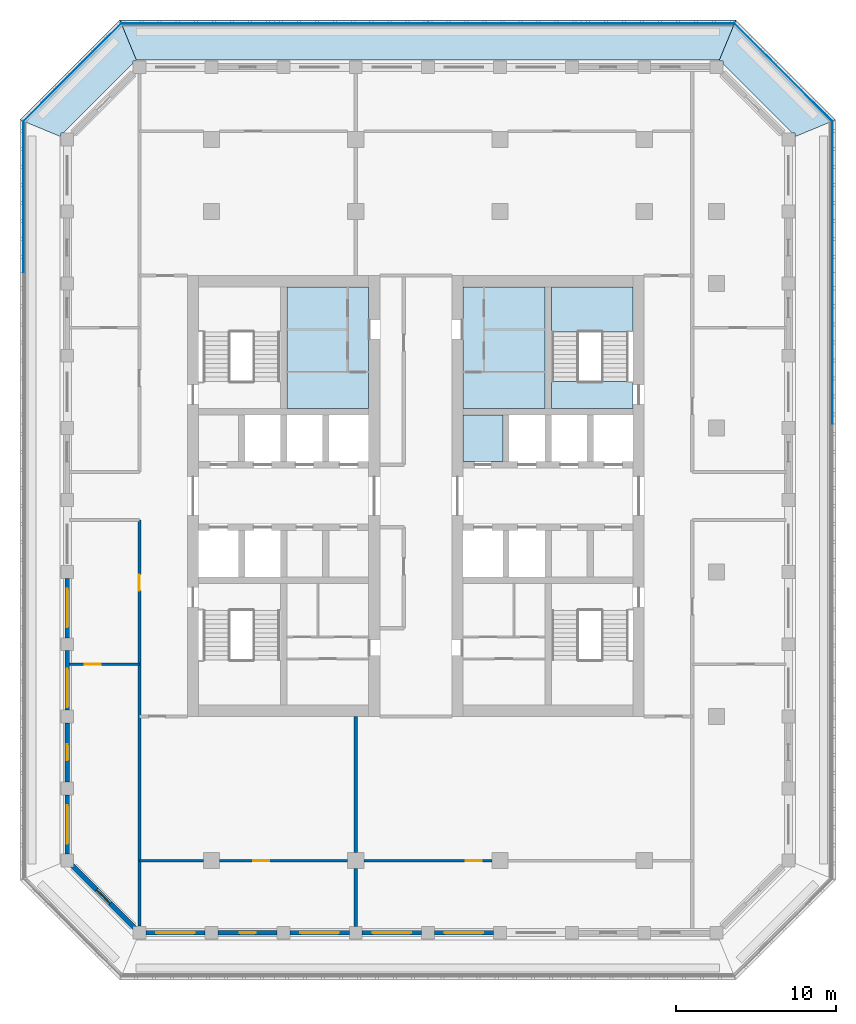
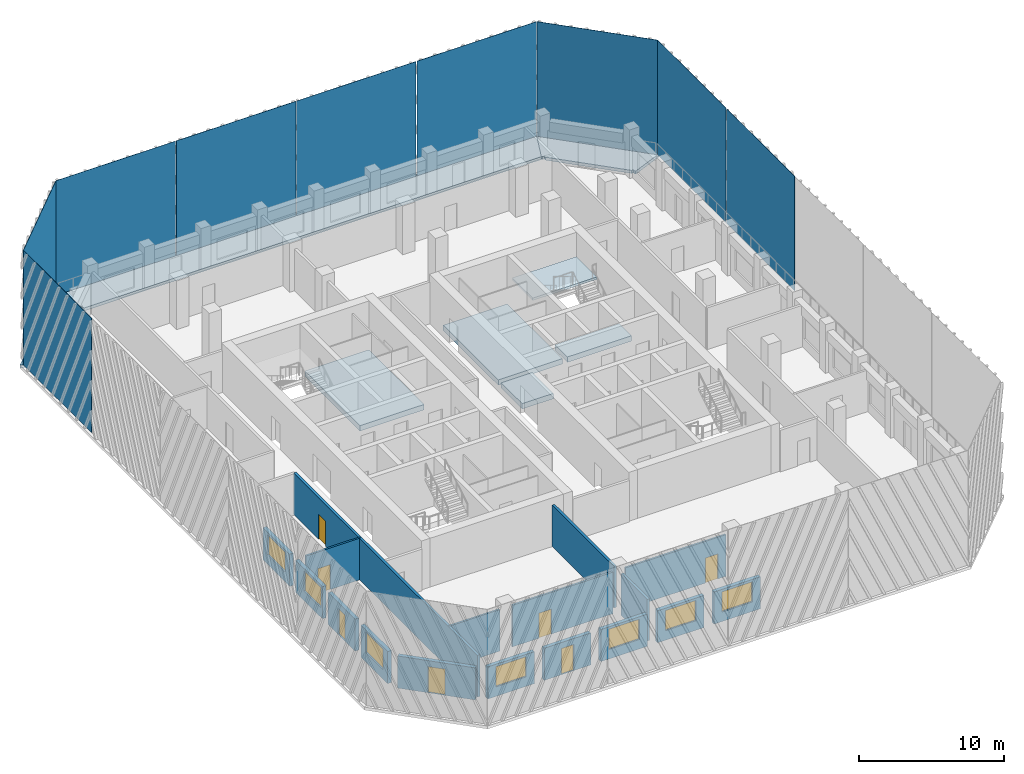
# One storey, part 2 of 17: 17 walls, 9 plates, 8 slabs, 7 doors, 7 windows, 14 openings, 1 element without a shape of its own.
"""IFC4 building model written with IfcOpenShell, lengths in metres."""

import ifcopenshell
import ifcopenshell.guid

model = None  # the IFC model being written
_history = None  # IfcOwnerHistory: only IFC2X3 demands one
_inside = {}  # id of a spatial element -> (the spatial element, [elements in it])
_under = {}  # id of a project, library or spatial element -> (it, [spatial elements below it])
_declared = {}  # id of a project -> (the project, [libraries it declares])
_typed = {}  # id of a type object -> (the type object, [elements of that type])
_made_of = {}  # id of a material, layer set ... -> (it, [elements and type objects made of it])


def new_model(schema):
    """Start an empty IFC model of exactly this schema.

    Asked for "IFC4X3", IfcOpenShell would pick the latest addendum, in which some entities
    have other attributes; the version numbers below select the first issue.
    IFC2X3 requires an IfcOwnerHistory on every rooted entity: one is made here for all.
    """
    global model, _history
    if schema == "IFC4X3":
        model = ifcopenshell.file(schema_version=(4, 3, 0, 0))
    else:
        model = ifcopenshell.file(schema=schema)
    _inside.clear()
    _under.clear()
    _declared.clear()
    _typed.clear()
    _made_of.clear()
    _history = None
    if model.schema == "IFC2X3":
        org = make("IfcOrganization", Name="unknown")
        user = make(
            "IfcPersonAndOrganization",
            ThePerson=make("IfcPerson", FamilyName="unknown"),
            TheOrganization=org,
        )
        app = make(
            "IfcApplication",
            ApplicationDeveloper=org,
            Version="unknown",
            ApplicationFullName="unknown",
            ApplicationIdentifier="unknown",
        )
        _history = make(
            "IfcOwnerHistory",
            OwningUser=user,
            OwningApplication=app,
            ChangeAction="ADDED",
            CreationDate=0,
        )
    return model


def make(cls, **values):
    """One entity of the class cls with the attributes given. An attribute that is None is left unset."""
    return model.create_entity(
        cls, **{name: value for name, value in values.items() if value is not None}
    )


def rooted(cls, **values):
    """An entity with a GlobalId (a new one), such as an element, a storey or a relation."""
    return make(cls, GlobalId=ifcopenshell.guid.new(), OwnerHistory=_history, **values)


def si_unit(unit_type, name, prefix=None):
    """IfcSIUnit, for example si_unit("LENGTHUNIT", "METRE", prefix="MILLI")."""
    return make("IfcSIUnit", UnitType=unit_type, Prefix=prefix, Name=name)


def assignment(units):
    """IfcUnitAssignment: the units of a project."""
    return None if units is None else make("IfcUnitAssignment", Units=units)


def point(xyz):
    """IfcCartesianPoint."""
    return None if xyz is None else make("IfcCartesianPoint", Coordinates=xyz)


def direction(xyz):
    """IfcDirection."""
    return None if xyz is None else make("IfcDirection", DirectionRatios=xyz)


def frame(location, z_axis=None, x_axis=None):
    """IfcAxis2Placement3D, a coordinate frame: its origin and axes. An axis left out is left unset."""
    return make(
        "IfcAxis2Placement3D",
        Location=point(location),
        Axis=direction(z_axis),
        RefDirection=direction(x_axis),
    )


def frame_2d(location, x_axis=None):
    """IfcAxis2Placement2D, a coordinate frame in the plane: its origin and x axis."""
    return make(
        "IfcAxis2Placement2D", Location=point(location), RefDirection=direction(x_axis)
    )


def origin():
    """The frame at (0, 0, 0) with its axes left unset."""
    return frame((0.0, 0.0, 0.0))


def origin_2d():
    """The frame at (0, 0) in the plane with its x axis left unset."""
    return frame_2d((0.0, 0.0))


def place(relative_to, where):
    """IfcLocalPlacement: puts the frame where relative to a parent placement (None: the world)."""
    return make(
        "IfcLocalPlacement", PlacementRelTo=relative_to, RelativePlacement=where
    )


def context(
    kind, dimensions, precision=None, world=None, true_north=None, identifier=None
):
    """IfcGeometricRepresentationContext, for example the 3D "Model" context."""
    return make(
        "IfcGeometricRepresentationContext",
        ContextIdentifier=identifier,
        ContextType=kind,
        CoordinateSpaceDimension=dimensions,
        Precision=precision,
        WorldCoordinateSystem=world,
        TrueNorth=true_north,
    )


def subcontext(parent, identifier, kind, view, scale=None):
    """IfcGeometricRepresentationSubContext, for example "Body" below "Model"."""
    return make(
        "IfcGeometricRepresentationSubContext",
        ContextIdentifier=identifier,
        ContextType=kind,
        ParentContext=parent,
        TargetScale=scale,
        TargetView=view,
    )


def project(units=None, contexts=None):
    """IfcProject with its units and contexts."""
    return rooted(
        "IfcProject",
        Name="project",
        RepresentationContexts=contexts,
        UnitsInContext=assignment(units),
    )


def spatial(cls, under=None, at=None, **own):
    """A site, building, storey or space (cls), placed at a placement, below another one or the project."""
    s = rooted(cls, ObjectPlacement=at, **own)
    if under is not None:
        _under.setdefault(under.id(), (under, []))[1].append(s)
    return s


def polyline(points):
    """IfcPolyline through the points."""
    return make("IfcPolyline", Points=[point(p) for p in points])


def profile(cls, at=None, kind="AREA", **sizes):
    """A parametric profile (cls). Its sizes go by their IFC names, for example OverallWidth=200.0."""
    return make(cls, ProfileType=kind, Position=at, **sizes)


def rectangle(**sizes):
    """IfcRectangleProfileDef."""
    return profile("IfcRectangleProfileDef", **sizes)


def outline(outer, holes=None, kind="AREA"):
    """IfcArbitraryClosedProfileDef: a profile drawn as a closed curve; with holes, ...WithVoids."""
    if holes is None:
        return make("IfcArbitraryClosedProfileDef", ProfileType=kind, OuterCurve=outer)
    return make(
        "IfcArbitraryProfileDefWithVoids",
        ProfileType=kind,
        OuterCurve=outer,
        InnerCurves=holes,
    )


def extrude(swept, where, along, depth):
    """IfcExtrudedAreaSolid: the profile swept, set in the frame where, extruded along a direction by depth."""
    return make(
        "IfcExtrudedAreaSolid",
        SweptArea=swept,
        Position=where,
        ExtrudedDirection=direction(along),
        Depth=depth,
    )


def shape(context_of_items, identifier, shape_type, items):
    """IfcShapeRepresentation: the items that make up one representation, for example the "Body"."""
    return make(
        "IfcShapeRepresentation",
        ContextOfItems=context_of_items,
        RepresentationIdentifier=identifier,
        RepresentationType=shape_type,
        Items=items,
    )


def material(Name=None, Category=None):
    """IfcMaterial."""
    return make("IfcMaterial", Name=Name, Category=Category)


def layer(
    of_material, thickness, ventilated=None, Name=None, Category=None, Priority=None
):
    """IfcMaterialLayer: one layer of a wall or slab, of a material (None: an air gap)."""
    return make(
        "IfcMaterialLayer",
        Material=of_material,
        LayerThickness=thickness,
        IsVentilated=ventilated,
        Name=Name,
        Category=Category,
        Priority=Priority,
    )


def layer_set(layers, Name=None):
    """IfcMaterialLayerSet."""
    return make("IfcMaterialLayerSet", MaterialLayers=layers, LayerSetName=Name)


def made_of(thing, what):
    """Note that an element or type object is made of a material, layer set ...; save() writes the relation."""
    if what is not None:
        _made_of.setdefault(what.id(), (what, []))[1].append(thing)
    return thing


def type_object(cls, material=None, **own):
    """A type object (cls), such as IfcWallType, which elements share."""
    return made_of(rooted(cls, **own), material)


def element(
    cls,
    number,
    at=None,
    inside=None,
    cuts=None,
    type_object=None,
    material=None,
    context=None,
    identifier="Body",
    shape_type=None,
    held_by="IfcProductDefinitionShape",
    body=None,
    shapes=None,
    **own,
):
    """One element of the class cls, such as IfcWall. Its Tag is "e" and its number.

    at: its placement. inside: the storey or other place that contains it. cuts: it is an
    opening in that element (IfcRelVoidsElement). A single representation is given by context,
    identifier, shape_type and body (its items); several are given by shapes. held_by: the class
    of the entity that holds the representations. save() writes the other relations.
    """
    e = rooted(cls, Tag="e%d" % number, ObjectPlacement=at, **own)
    if body is not None:
        shapes = [shape(context, identifier, shape_type, body)]
    if shapes is not None:
        e.Representation = make(held_by, Representations=shapes)
    if inside is not None:
        _inside.setdefault(inside.id(), (inside, []))[1].append(e)
    if cuts is not None:
        rooted(
            "IfcRelVoidsElement", RelatingBuildingElement=cuts, RelatedOpeningElement=e
        )
    if type_object is not None:
        _typed.setdefault(type_object.id(), (type_object, []))[1].append(e)
    return made_of(e, material)


def fill(opening, filler):
    """IfcRelFillsElement: the door or window that sits in an opening."""
    return rooted(
        "IfcRelFillsElement",
        RelatingOpeningElement=opening,
        RelatedBuildingElement=filler,
    )


def aggregate(whole, parts):
    """IfcRelAggregates: a whole, such as a stair, and the parts it consists of."""
    return rooted("IfcRelAggregates", RelatingObject=whole, RelatedObjects=parts)


def save(model, path):
    """Write the relations noted so far, then the file.

    IfcRelAggregates (storeys below a building ...), IfcRelContainedInSpatialStructure (elements
    in a storey), IfcRelDefinesByType, IfcRelAssociatesMaterial and IfcRelDeclares: one each for
    every whole, place, type object, material and project.
    """
    for whole, parts in _under.values():
        aggregate(whole, parts)
    for where, things in _inside.values():
        rooted(
            "IfcRelContainedInSpatialStructure",
            RelatedElements=things,
            RelatingStructure=where,
        )
    for kind, things in _typed.values():
        rooted("IfcRelDefinesByType", RelatedObjects=things, RelatingType=kind)
    for what, things in _made_of.values():
        rooted("IfcRelAssociatesMaterial", RelatedObjects=things, RelatingMaterial=what)
    for by, libraries in _declared.values():
        rooted("IfcRelDeclares", RelatingContext=by, RelatedDefinitions=libraries)
    model.write(path)


model = new_model("IFC4")

# Units and contexts
model_context = context("Model", 3, precision=1e-05, world=origin(), true_north=direction((0.0, 1.0)))
body_context = subcontext(model_context, "Body", "Model", "MODEL_VIEW")
ifc_project = project(units=[si_unit("LENGTHUNIT", "METRE"), si_unit("AREAUNIT", "SQUARE_METRE"), si_unit("VOLUMEUNIT", "CUBIC_METRE"), si_unit("PLANEANGLEUNIT", "RADIAN"), si_unit("MASSUNIT", "GRAM", prefix="KILO")], contexts=[model_context])

# Site, building, storey
site_placement = place(None, origin())
site = spatial("IfcSite", under=ifc_project, at=site_placement, CompositionType="ELEMENT")
building_placement = place(site_placement, origin())
building = spatial("IfcBuilding", under=site, at=building_placement, Name="Corbel Stack Research Tower", CompositionType="ELEMENT")
storey_placement = place(building_placement, frame((0.0, 0.0, 256.199951171875)))
storey = spatial("IfcBuildingStorey", under=building, at=storey_placement, Name="L58", CompositionType="ELEMENT", Elevation=256.199951171875)

# Plates
ifc_material_1 = material(Name="Fritted glass", Category="glass")
ifc_layer_1 = layer(ifc_material_1, 0.02490234375)
ifc_layer_set_1 = layer_set([ifc_layer_1], Name="Fritted glass")
plate_type = type_object("IfcPlateType", Name="Fritted glass panel 25", PredefinedType="SHEET", material=ifc_layer_set_1)
for number, where, z_axis, x_axis, name in (
    (1, (29.737548828125, 13.95556640625, 0.0), (0.0, 0.0, 1.0), (0.0, 1.0, 0.0), "Fritted glass L58 E4"),
    (2, (29.737548828125, 23.411376953125, 0.0), (0.0, 0.0, 1.0), (0.0, 1.0, 0.0), "Fritted glass L58 E5"),
):
    element("IfcPlate", number, at=place(storey_placement, frame(where, z_axis=z_axis, x_axis=x_axis)), inside=storey, type_object=plate_type, Name=name, PredefinedType="SHEET", context=body_context, shape_type="SweptSolid", body=[
        extrude(rectangle(XDim=9.3955078125, YDim=0.02490234375, at=origin_2d()), origin(), (0.0, 0.0, 1.0), 9.64990234375),
    ])
plate_1_placement = place(storey_placement, frame((26.685791015625, 31.185791015625, 0.0), z_axis=(0.0, 0.0, 1.0), x_axis=(-0.707106781187, 0.707106781187, 0.0)))
element("IfcPlate", 3, at=plate_1_placement, inside=storey, type_object=plate_type, Name="Fritted glass L58 NE1", PredefinedType="SHEET", context=body_context, shape_type="SweptSolid", body=[
    extrude(rectangle(XDim=8.58203125, YDim=0.02490234375, at=origin_2d()), origin(), (0.0, 0.0, 1.0), 9.64990234375),
])
for number, where, z_axis, x_axis, name in (
    (4, (18.854248046875, 34.237548828125, 0.0), (0.0, 0.0, 1.0), (-1.0, 0.0, 0.0), "Fritted glass L58 N1"),
    (5, (9.284912109375, 34.237548828125, 0.0), (0.0, 0.0, 1.0), (-1.0, 0.0, 0.0), "Fritted glass L58 N2"),
    (6, (-0.284912109375, 34.237548828125, 0.0), (0.0, 0.0, 1.0), (-1.0, 0.0, 0.0), "Fritted glass L58 N3"),
    (7, (-9.854248046875, 34.237548828125, 0.0), (0.0, 0.0, 1.0), (-1.0, 0.0, 0.0), "Fritted glass L58 N4"),
):
    element("IfcPlate", number, at=place(storey_placement, frame(where, z_axis=z_axis, x_axis=x_axis)), inside=storey, type_object=plate_type, Name=name, PredefinedType="SHEET", context=body_context, shape_type="SweptSolid", body=[
        extrude(rectangle(XDim=9.509521484375, YDim=0.02490234375, at=origin_2d()), origin(), (0.0, 0.0, 1.0), 9.64990234375),
    ])
plate_2_placement = place(storey_placement, frame((-17.685791015625, 31.185791015625, 0.0), z_axis=(0.0, 0.0, 1.0), x_axis=(-0.707106781187, -0.707106781187, 0.0)))
element("IfcPlate", 8, at=plate_2_placement, inside=storey, type_object=plate_type, Name="Fritted glass L58 NW1", PredefinedType="SHEET", context=body_context, shape_type="SweptSolid", body=[
    extrude(rectangle(XDim=8.58203125, YDim=0.02490234375, at=origin_2d()), origin(), (0.0, 0.0, 1.0), 9.64990234375),
])
plate_3_placement = place(storey_placement, frame((-20.737548828125, 23.411376953125, 0.0), z_axis=(0.0, 0.0, 1.0), x_axis=(0.0, -1.0, 0.0)))
element("IfcPlate", 9, at=plate_3_placement, inside=storey, type_object=plate_type, Name="Fritted glass L58 W1", PredefinedType="SHEET", context=body_context, shape_type="SweptSolid", body=[
    extrude(rectangle(XDim=9.3955078125, YDim=0.02490234375, at=origin_2d()), origin(), (0.0, 0.0, 1.0), 9.64990234375),
])

# Slabs
ifc_material_2 = material(Name="Concrete C45/55", Category="concrete")
ifc_layer_2 = layer(ifc_material_2, 0.25)
ifc_layer_set_2 = layer_set([ifc_layer_2], Name="Concrete C45/55")
slab_type_1 = type_object("IfcSlabType", Name="PT balcony slab 250 C45/55", PredefinedType="FLOOR", material=ifc_layer_set_2)
slab_1_placement = place(storey_placement, frame((0.0, 0.0, -0.25)))
element("IfcSlab", 10, at=slab_1_placement, inside=storey, type_object=slab_type_1, Name="Loggia slab L58 NE", PredefinedType="FLOOR", context=body_context, shape_type="SweptSolid", body=[
    extrude(outline(polyline([(22.686279296875, 31.949951171875), (22.736328125, 31.89990234375), (22.89990234375, 31.89990234375), (22.89990234375, 31.736328125), (27.236328125, 27.39990234375), (27.39990234375, 27.39990234375), (27.39990234375, 27.236328125), (27.449951171875, 27.186279296875), (29.949951171875, 28.221923828125), (23.721923828125, 34.449951171875), (22.686279296875, 31.949951171875)])), origin(), (0.0, 0.0, 1.0), 0.25),
])
slab_2_placement = place(storey_placement, frame((0.0, 0.0, -0.25)))
element("IfcSlab", 11, at=slab_2_placement, inside=storey, type_object=slab_type_1, Name="Loggia slab L58 N", PredefinedType="FLOOR", context=body_context, shape_type="SweptSolid", body=[
    extrude(outline(polyline([(-13.686279296875, 31.949951171875), (22.686279296875, 31.949951171875), (23.721923828125, 34.449951171875), (-14.721923828125, 34.449951171875), (-13.686279296875, 31.949951171875)])), origin(), (0.0, 0.0, 1.0), 0.25),
])
slab_3_placement = place(storey_placement, frame((0.0, 0.0, -0.25)))
element("IfcSlab", 12, at=slab_3_placement, inside=storey, type_object=slab_type_1, Name="Loggia slab L58 NW", PredefinedType="FLOOR", context=body_context, shape_type="SweptSolid", body=[
    extrude(outline(polyline([(-18.449951171875, 27.186279296875), (-18.39990234375, 27.236328125), (-18.39990234375, 27.39990234375), (-18.236328125, 27.39990234375), (-13.89990234375, 31.736328125), (-13.89990234375, 31.89990234375), (-13.736328125, 31.89990234375), (-13.686279296875, 31.949951171875), (-14.721923828125, 34.449951171875), (-20.949951171875, 28.221923828125), (-18.449951171875, 27.186279296875)])), origin(), (0.0, 0.0, 1.0), 0.25),
])
ifc_material_3 = material(Name="Concrete C45/55", Category="concrete")
ifc_layer_3 = layer(ifc_material_3, 0.449951171875)
ifc_layer_set_3 = layer_set([ifc_layer_3], Name="Concrete C45/55")
slab_type_2 = type_object("IfcSlabType", Name="PT-450", PredefinedType="FLOOR", material=ifc_layer_set_3)
slab_4_placement = place(storey_placement, frame((0.0, 0.0, -0.449951171875)))
element("IfcSlab", 13, at=slab_4_placement, inside=storey, type_object=slab_type_2, Name="West core floor L58", PredefinedType="FLOOR", context=body_context, shape_type="SweptSolid", body=[
    extrude(outline(polyline([(-4.300048828125, 17.800048828125), (-4.300048828125, 10.199951171875), (0.800048828125, 10.199951171875), (0.800048828125, 17.800048828125), (-4.300048828125, 17.800048828125)])), origin(), (0.0, 0.0, 1.0), 0.449951171875),
])
slab_5_placement = place(storey_placement, frame((0.0, 0.0, -0.449951171875)))
element("IfcSlab", 14, at=slab_5_placement, inside=storey, type_object=slab_type_2, Name="East core floor L58", PredefinedType="FLOOR", context=body_context, shape_type="SweptSolid", body=[
    extrude(outline(polyline([(6.699951171875, 6.89990234375), (9.175048828125, 6.89990234375), (9.175048828125, 9.800048828125), (6.699951171875, 9.800048828125), (6.699951171875, 6.89990234375)])), origin(), (0.0, 0.0, 1.0), 0.449951171875),
])
slab_6_placement = place(storey_placement, frame((0.0, 0.0, -0.449951171875)))
element("IfcSlab", 15, at=slab_6_placement, inside=storey, type_object=slab_type_2, Name="East core floor L58", PredefinedType="FLOOR", context=body_context, shape_type="SweptSolid", body=[
    extrude(outline(polyline([(6.699951171875, 10.199951171875), (11.800048828125, 10.199951171875), (11.800048828125, 17.800048828125), (6.699951171875, 17.800048828125), (6.699951171875, 10.199951171875)])), origin(), (0.0, 0.0, 1.0), 0.449951171875),
])
slab_7_placement = place(storey_placement, frame((0.0, 0.0, -0.449951171875)))
element("IfcSlab", 16, at=slab_7_placement, inside=storey, type_object=slab_type_2, Name="Stair floor landing ST-E2", PredefinedType="FLOOR", context=body_context, shape_type="SweptSolid", body=[
    extrude(outline(polyline([(12.199951171875, 10.199951171875), (17.300048828125, 10.199951171875), (17.300048828125, 11.89990234375), (12.199951171875, 11.89990234375), (12.199951171875, 10.199951171875)])), origin(), (0.0, 0.0, 1.0), 0.449951171875),
])

# Stair, slab
ifc_material_4 = material(Name="Concrete C40/50", Category="concrete")
stair_type = type_object("IfcStairType", Name="Exit stair 24 risers", PredefinedType="HALF_TURN_STAIR", material=ifc_material_4)
stair_placement = place(storey_placement, origin())
stair = element("IfcStair", 17, at=stair_placement, inside=storey, type_object=stair_type, Name="L58 Exit stair ST-E2", PredefinedType="HALF_TURN_STAIR")
ifc_material_5 = material(Name="Concrete C40/50", Category="concrete")
ifc_layer_4 = layer(ifc_material_5, 0.199951171875)
ifc_layer_set_4 = layer_set([ifc_layer_4], Name="Concrete C40/50")
slab_type_3 = type_object("IfcSlabType", Name="Stair landing 200 C40/50", PredefinedType="LANDING", material=ifc_layer_set_4)
slab_8_placement = place(storey_placement, frame((0.0, 0.0, 1.85009765625)))
slab_8 = element("IfcSlab", 18, at=slab_8_placement, type_object=slab_type_3, Name="ST-E2 landing 1", PredefinedType="LANDING", context=body_context, shape_type="SweptSolid", body=[
    extrude(outline(polyline([(12.199951171875, 14.97998046875), (12.199951171875, 17.800048828125), (17.300048828125, 17.800048828125), (17.300048828125, 14.97998046875), (12.199951171875, 14.97998046875)])), origin(), (0.0, 0.0, 1.0), 0.199951171875),
])
aggregate(stair, [slab_8])

# Wall, opening, door
ifc_material_6 = material(Name="Fire-rated gypsum board partition on steel studs", Category="steel")
ifc_layer_5 = layer(ifc_material_6, 0.199951171875)
ifc_layer_set_5 = layer_set([ifc_layer_5], Name="Fire-rated gypsum board partition on steel studs")
wall_type_1 = type_object("IfcWallType", Name="Fire-rated partition 200 EI 60", PredefinedType="PARTITIONING", material=ifc_layer_set_5)
wall_1_placement = place(storey_placement, frame((-13.5, -22.0771484375, 0.0), z_axis=(0.0, 0.0, 1.0), x_axis=(0.0, 1.0, 0.0)))
wall_1 = element("IfcWall", 19, at=wall_1_placement, inside=storey, type_object=wall_type_1, Name="Partition L58-001", PredefinedType="PARTITIONING", context=body_context, shape_type="SweptSolid", body=[
    extrude(rectangle(XDim=25.3271484375, YDim=0.199951171875, at=frame_2d((12.66357421875, 0.0))), origin(), (0.0, 0.0, 1.0), 3.5),
])
opening_1_placement = place(wall_1_placement, frame((20.92724609375, 0.0, 0.0)))
opening_1 = element("IfcOpeningElement", 20, at=opening_1_placement, cuts=wall_1, Name="Opening B7V2-003", PredefinedType="OPENING", context=body_context, shape_type="SweptSolid", body=[
    extrude(rectangle(XDim=1.0, YDim=2.10009765625, at=frame_2d((0.5, 1.050048828125))), frame((0.0, 0.10986328125, 0.0), z_axis=(0.0, -1.0, 0.0), x_axis=(1.0, 0.0, 0.0)), (0.0, 0.0, 1.0), 0.219970703125),
])
ifc_material_7 = material(Name="Painted steel fire door", Category="steel")
door_type_1 = type_object("IfcDoorType", Name="Fire door FD30S 1000 x 2100", OperationType="NOTDEFINED", PredefinedType="DOOR", material=ifc_material_7)
door_1_placement = place(opening_1_placement, origin())
door_1 = element("IfcDoor", 21, at=door_1_placement, inside=storey, type_object=door_type_1, Name="Door B7V2-003", OperationType="SINGLE_SWING_RIGHT", OverallHeight=2.10009765625, OverallWidth=1.0, PredefinedType="DOOR", context=body_context, shape_type="SweptSolid", body=[
    extrude(rectangle(XDim=1.0, YDim=2.10009765625, at=frame_2d((0.5, 1.050048828125))), frame((0.0, 0.02490234375, 0.0), z_axis=(0.0, -1.0, 0.0), x_axis=(1.0, 0.0, 0.0)), (0.0, 0.0, 1.0), 0.050048828125),
])
fill(opening_1, door_1)

# Walls
wall_2_placement = place(storey_placement, frame((0.0, -22.10009765625, 0.0), z_axis=(0.0, 0.0, 1.0), x_axis=(0.0, 1.0, 0.0)))
element("IfcWall", 22, at=wall_2_placement, inside=storey, type_object=wall_type_1, Name="Partition L58-003", PredefinedType="PARTITIONING", context=body_context, shape_type="SweptSolid", body=[
    extrude(rectangle(XDim=3.60009765625, YDim=0.199951171875, at=frame_2d((1.800048828125, 0.0))), origin(), (0.0, 0.0, 1.0), 3.5),
])
wall_3_placement = place(storey_placement, frame((0.0, -17.5, 0.0), z_axis=(0.0, 0.0, 1.0), x_axis=(0.0, 1.0, 0.0)))
element("IfcWall", 23, at=wall_3_placement, inside=storey, type_object=wall_type_1, Name="Partition L58-004", PredefinedType="PARTITIONING", context=body_context, shape_type="SweptSolid", body=[
    extrude(rectangle(XDim=8.5, YDim=0.199951171875, at=frame_2d((4.25, 0.0))), origin(), (0.0, 0.0, 1.0), 3.5),
])
ifc_material_8 = material(Name="Gypsum board partition on steel studs", Category="steel")
ifc_layer_6 = layer(ifc_material_8, 0.14990234375)
ifc_layer_set_6 = layer_set([ifc_layer_6], Name="Gypsum board partition on steel studs")
wall_type_2 = type_object("IfcWallType", Name="Partition 150", PredefinedType="PARTITIONING", material=ifc_layer_set_6)
wall_4_placement = place(storey_placement, frame((-13.5, -18.0, 0.0), z_axis=(0.0, 0.0, 1.0), x_axis=(1.0, 0.0, 0.0)))
element("IfcWall", 24, at=wall_4_placement, inside=storey, type_object=wall_type_2, Name="Partition L58-012", PredefinedType="PARTITIONING", context=body_context, shape_type="SweptSolid", body=[
    extrude(rectangle(XDim=4.0, YDim=0.14990234375, at=frame_2d((2.0, 0.0))), origin(), (0.0, 0.0, 1.0), 3.5),
])

# Wall, opening, door
wall_5_placement = place(storey_placement, frame((-0.5, -18.0, 0.0), z_axis=(0.0, 0.0, 1.0), x_axis=(-1.0, 0.0, 0.0)))
wall_5 = element("IfcWall", 25, at=wall_5_placement, inside=storey, type_object=wall_type_2, Name="Partition L58-013", PredefinedType="PARTITIONING", context=body_context, shape_type="SweptSolid", body=[
    extrude(rectangle(XDim=8.0, YDim=0.14990234375, at=frame_2d((4.0, 0.0))), origin(), (0.0, 0.0, 1.0), 3.5),
])
opening_2_placement = place(wall_5_placement, frame((4.89990234375, 0.0, 0.0)))
opening_2 = element("IfcOpeningElement", 26, at=opening_2_placement, cuts=wall_5, Name="Opening B7V2-001", PredefinedType="OPENING", context=body_context, shape_type="SweptSolid", body=[
    extrude(rectangle(XDim=1.0, YDim=2.10009765625, at=frame_2d((0.5, 1.050048828125))), frame((0.0, 0.0849609375, 0.0), z_axis=(0.0, -1.0, 0.0), x_axis=(1.0, 0.0, 0.0)), (0.0, 0.0, 1.0), 0.169921875),
])
ifc_material_9 = material(Name="Painted timber door", Category="wood")
door_type_2 = type_object("IfcDoorType", Name="Single door 1000 x 2100", OperationType="NOTDEFINED", PredefinedType="DOOR", material=ifc_material_9)
door_2_placement = place(opening_2_placement, origin())
door_2 = element("IfcDoor", 27, at=door_2_placement, inside=storey, type_object=door_type_2, Name="Door B7V2-001", OperationType="SINGLE_SWING_RIGHT", OverallHeight=2.10009765625, OverallWidth=1.0, PredefinedType="DOOR", context=body_context, shape_type="SweptSolid", body=[
    extrude(rectangle(XDim=1.0, YDim=2.10009765625, at=frame_2d((0.5, 1.050048828125))), frame((0.0, 0.02490234375, 0.0), z_axis=(0.0, -1.0, 0.0), x_axis=(1.0, 0.0, 0.0)), (0.0, 0.0, 1.0), 0.050048828125),
])
fill(opening_2, door_2)

wall_6_placement = place(storey_placement, frame((8.5, -18.0, 0.0), z_axis=(0.0, 0.0, 1.0), x_axis=(-1.0, 0.0, 0.0)))
wall_6 = element("IfcWall", 28, at=wall_6_placement, inside=storey, type_object=wall_type_2, Name="Partition L58-014", PredefinedType="PARTITIONING", context=body_context, shape_type="SweptSolid", body=[
    extrude(rectangle(XDim=8.0, YDim=0.14990234375, at=frame_2d((4.0, 0.0))), origin(), (0.0, 0.0, 1.0), 3.5),
])
opening_3_placement = place(wall_6_placement, frame((0.64990234375, 0.0, 0.0)))
opening_3 = element("IfcOpeningElement", 29, at=opening_3_placement, cuts=wall_6, Name="Opening B7V2-002", PredefinedType="OPENING", context=body_context, shape_type="SweptSolid", body=[
    extrude(rectangle(XDim=1.0, YDim=2.10009765625, at=frame_2d((0.5, 1.050048828125))), frame((0.0, 0.0849609375, 0.0), z_axis=(0.0, -1.0, 0.0), x_axis=(1.0, 0.0, 0.0)), (0.0, 0.0, 1.0), 0.169921875),
])
door_3_placement = place(opening_3_placement, origin())
door_3 = element("IfcDoor", 30, at=door_3_placement, inside=storey, type_object=door_type_2, Name="Door B7V2-002", OperationType="SINGLE_SWING_LEFT", OverallHeight=2.10009765625, OverallWidth=1.0, PredefinedType="DOOR", context=body_context, shape_type="SweptSolid", body=[
    extrude(rectangle(XDim=1.0, YDim=2.10009765625, at=frame_2d((0.5, 1.050048828125))), frame((0.0, 0.02490234375, 0.0), z_axis=(0.0, -1.0, 0.0), x_axis=(1.0, 0.0, 0.0)), (0.0, 0.0, 1.0), 0.050048828125),
])
fill(opening_3, door_3)

wall_7_placement = place(storey_placement, frame((-13.5, -5.75, 0.0), z_axis=(0.0, 0.0, 1.0), x_axis=(-1.0, 0.0, 0.0)))
wall_7 = element("IfcWall", 31, at=wall_7_placement, inside=storey, type_object=wall_type_2, Name="Partition L58-020", PredefinedType="PARTITIONING", context=body_context, shape_type="SweptSolid", body=[
    extrude(rectangle(XDim=4.35009765625, YDim=0.14990234375, at=frame_2d((2.175048828125, 0.0))), origin(), (0.0, 0.0, 1.0), 3.5),
])
opening_4_placement = place(wall_7_placement, frame((2.39990234375, 0.0, 0.0)))
opening_4 = element("IfcOpeningElement", 32, at=opening_4_placement, cuts=wall_7, Name="Opening B7V2-007", PredefinedType="OPENING", context=body_context, shape_type="SweptSolid", body=[
    extrude(rectangle(XDim=1.0, YDim=2.10009765625, at=frame_2d((0.5, 1.050048828125))), frame((0.0, 0.0849609375, 0.0), z_axis=(0.0, -1.0, 0.0), x_axis=(1.0, 0.0, 0.0)), (0.0, 0.0, 1.0), 0.169921875),
])
door_4_placement = place(opening_4_placement, origin())
door_4 = element("IfcDoor", 33, at=door_4_placement, inside=storey, type_object=door_type_2, Name="Door B7V2-007", OperationType="SINGLE_SWING_RIGHT", OverallHeight=2.10009765625, OverallWidth=1.0, PredefinedType="DOOR", context=body_context, shape_type="SweptSolid", body=[
    extrude(rectangle(XDim=1.0, YDim=2.10009765625, at=frame_2d((0.5, 1.050048828125))), frame((0.0, 0.02490234375, 0.0), z_axis=(0.0, -1.0, 0.0), x_axis=(1.0, 0.0, 0.0)), (0.0, 0.0, 1.0), 0.050048828125),
])
fill(opening_4, door_4)

# Wall, opening, window
ifc_material_10 = material(Name="Concrete C45/55", Category="concrete")
ifc_layer_7 = layer(ifc_material_10, 0.300048828125)
ifc_layer_set_7 = layer_set([ifc_layer_7], Name="Concrete C45/55")
wall_type_3 = type_object("IfcWallType", Name="Terracotta-faced concrete wall 300", PredefinedType="SOLIDWALL", material=ifc_layer_set_7)
wall_8_placement = place(storey_placement, frame((-9.39990234375, -22.5, 0.0), z_axis=(0.0, 0.0, 1.0), x_axis=(-1.0, 0.0, 0.0)))
wall_8 = element("IfcWall", 34, at=wall_8_placement, inside=storey, type_object=wall_type_3, Name="Facade wall L58 S01", PredefinedType="SOLIDWALL", context=body_context, shape_type="SweptSolid", body=[
    extrude(rectangle(XDim=3.7001953125, YDim=0.300048828125, at=frame_2d((1.85009765625, 0.0))), origin(), (0.0, 0.0, 1.0), 2.699951171875),
])
opening_5_placement = place(wall_8_placement, frame((0.64990234375, 0.0, 0.800048828125)))
opening_5 = element("IfcOpeningElement", 35, at=opening_5_placement, cuts=wall_8, Name="Opening W1", PredefinedType="OPENING", context=body_context, shape_type="SweptSolid", body=[
    extrude(rectangle(XDim=2.39990234375, YDim=1.699951171875, at=frame_2d((1.199951171875, 0.85009765625))), frame((0.0, 0.159912109375, 0.0), z_axis=(0.0, -1.0, 0.0), x_axis=(1.0, 0.0, 0.0)), (0.0, 0.0, 1.0), 0.320068359375),
])
ifc_material_11 = material(Name="Aluminium frame, clear double glazing", Category="aluminium")
window_type = type_object("IfcWindowType", Name="Window W1 2400 x 1700", PartitioningType="SINGLE_PANEL", PredefinedType="WINDOW", material=ifc_material_11)
window_1_placement = place(opening_5_placement, origin())
window_1 = element("IfcWindow", 36, at=window_1_placement, inside=storey, type_object=window_type, Name="Window W1 L58 S01", OverallHeight=1.699951171875, OverallWidth=2.39990234375, PartitioningType="SINGLE_PANEL", PredefinedType="WINDOW", context=body_context, shape_type="SweptSolid", body=[
    extrude(rectangle(XDim=2.39990234375, YDim=1.699951171875, at=frame_2d((1.199951171875, 0.85009765625))), frame((0.0, 0.030029296875, 0.0), z_axis=(0.0, -1.0, 0.0), x_axis=(1.0, 0.0, 0.0)), (0.0, 0.0, 1.0), 0.06005859375),
])
fill(opening_5, window_1)

# Wall, opening, door
wall_9_placement = place(storey_placement, frame((-4.89990234375, -22.5, 0.0), z_axis=(0.0, 0.0, 1.0), x_axis=(-1.0, 0.0, 0.0)))
wall_9 = element("IfcWall", 37, at=wall_9_placement, inside=storey, type_object=wall_type_3, Name="Facade wall L58 S02", PredefinedType="SOLIDWALL", context=body_context, shape_type="SweptSolid", body=[
    extrude(rectangle(XDim=3.7001953125, YDim=0.300048828125, at=frame_2d((1.85009765625, 0.0))), origin(), (0.0, 0.0, 1.0), 2.699951171875),
])
opening_6_placement = place(wall_9_placement, frame((1.35009765625, 0.0, 0.0)))
opening_6 = element("IfcOpeningElement", 38, at=opening_6_placement, cuts=wall_9, Name="Opening L58-B01", PredefinedType="OPENING", context=body_context, shape_type="SweptSolid", body=[
    extrude(rectangle(XDim=1.0, YDim=2.199951171875, at=frame_2d((0.5, 1.10009765625))), frame((0.0, 0.159912109375, 0.0), z_axis=(0.0, -1.0, 0.0), x_axis=(1.0, 0.0, 0.0)), (0.0, 0.0, 1.0), 0.320068359375),
])
ifc_material_12 = material(Name="Aluminium frame, clear double glazing", Category="aluminium")
door_type_3 = type_object("IfcDoorType", Name="Balcony door BD1 1000 x 2200", OperationType="NOTDEFINED", PredefinedType="DOOR", material=ifc_material_12)
door_5_placement = place(opening_6_placement, origin())
door_5 = element("IfcDoor", 39, at=door_5_placement, inside=storey, type_object=door_type_3, Name="Balcony door L58-B01", OperationType="SINGLE_SWING_RIGHT", OverallHeight=2.199951171875, OverallWidth=1.0, PredefinedType="DOOR", context=body_context, shape_type="SweptSolid", body=[
    extrude(rectangle(XDim=1.0, YDim=2.199951171875, at=frame_2d((0.5, 1.10009765625))), frame((0.0, 0.02490234375, 0.0), z_axis=(0.0, -1.0, 0.0), x_axis=(1.0, 0.0, 0.0)), (0.0, 0.0, 1.0), 0.050048828125),
])
fill(opening_6, door_5)

# Wall, opening, window
wall_10_placement = place(storey_placement, frame((-0.39990234375, -22.5, 0.0), z_axis=(0.0, 0.0, 1.0), x_axis=(-1.0, 0.0, 0.0)))
wall_10 = element("IfcWall", 40, at=wall_10_placement, inside=storey, type_object=wall_type_3, Name="Facade wall L58 S03", PredefinedType="SOLIDWALL", context=body_context, shape_type="SweptSolid", body=[
    extrude(rectangle(XDim=3.7001953125, YDim=0.300048828125, at=frame_2d((1.85009765625, 0.0))), origin(), (0.0, 0.0, 1.0), 2.699951171875),
])
opening_7_placement = place(wall_10_placement, frame((0.64990234375, 0.0, 0.800048828125)))
opening_7 = element("IfcOpeningElement", 41, at=opening_7_placement, cuts=wall_10, Name="Opening W1", PredefinedType="OPENING", context=body_context, shape_type="SweptSolid", body=[
    extrude(rectangle(XDim=2.39990234375, YDim=1.699951171875, at=frame_2d((1.199951171875, 0.85009765625))), frame((0.0, 0.159912109375, 0.0), z_axis=(0.0, -1.0, 0.0), x_axis=(1.0, 0.0, 0.0)), (0.0, 0.0, 1.0), 0.320068359375),
])
window_2_placement = place(opening_7_placement, origin())
window_2 = element("IfcWindow", 42, at=window_2_placement, inside=storey, type_object=window_type, Name="Window W1 L58 S03", OverallHeight=1.699951171875, OverallWidth=2.39990234375, PartitioningType="SINGLE_PANEL", PredefinedType="WINDOW", context=body_context, shape_type="SweptSolid", body=[
    extrude(rectangle(XDim=2.39990234375, YDim=1.699951171875, at=frame_2d((1.199951171875, 0.85009765625))), frame((0.0, 0.030029296875, 0.0), z_axis=(0.0, -1.0, 0.0), x_axis=(1.0, 0.0, 0.0)), (0.0, 0.0, 1.0), 0.06005859375),
])
fill(opening_7, window_2)

wall_11_placement = place(storey_placement, frame((4.10009765625, -22.5, 0.0), z_axis=(0.0, 0.0, 1.0), x_axis=(-1.0, 0.0, 0.0)))
wall_11 = element("IfcWall", 43, at=wall_11_placement, inside=storey, type_object=wall_type_3, Name="Facade wall L58 S04", PredefinedType="SOLIDWALL", context=body_context, shape_type="SweptSolid", body=[
    extrude(rectangle(XDim=3.7001953125, YDim=0.300048828125, at=frame_2d((1.85009765625, 0.0))), origin(), (0.0, 0.0, 1.0), 2.699951171875),
])
opening_8_placement = place(wall_11_placement, frame((0.64990234375, 0.0, 0.800048828125)))
opening_8 = element("IfcOpeningElement", 44, at=opening_8_placement, cuts=wall_11, Name="Opening W1", PredefinedType="OPENING", context=body_context, shape_type="SweptSolid", body=[
    extrude(rectangle(XDim=2.39990234375, YDim=1.699951171875, at=frame_2d((1.199951171875, 0.85009765625))), frame((0.0, 0.159912109375, 0.0), z_axis=(0.0, -1.0, 0.0), x_axis=(1.0, 0.0, 0.0)), (0.0, 0.0, 1.0), 0.320068359375),
])
window_3_placement = place(opening_8_placement, origin())
window_3 = element("IfcWindow", 45, at=window_3_placement, inside=storey, type_object=window_type, Name="Window W1 L58 S04", OverallHeight=1.699951171875, OverallWidth=2.39990234375, PartitioningType="SINGLE_PANEL", PredefinedType="WINDOW", context=body_context, shape_type="SweptSolid", body=[
    extrude(rectangle(XDim=2.39990234375, YDim=1.699951171875, at=frame_2d((1.199951171875, 0.85009765625))), frame((0.0, 0.030029296875, 0.0), z_axis=(0.0, -1.0, 0.0), x_axis=(1.0, 0.0, 0.0)), (0.0, 0.0, 1.0), 0.06005859375),
])
fill(opening_8, window_3)

wall_12_placement = place(storey_placement, frame((8.60009765625, -22.5, 0.0), z_axis=(0.0, 0.0, 1.0), x_axis=(-1.0, 0.0, 0.0)))
wall_12 = element("IfcWall", 46, at=wall_12_placement, inside=storey, type_object=wall_type_3, Name="Facade wall L58 S05", PredefinedType="SOLIDWALL", context=body_context, shape_type="SweptSolid", body=[
    extrude(rectangle(XDim=3.7001953125, YDim=0.300048828125, at=frame_2d((1.85009765625, 0.0))), origin(), (0.0, 0.0, 1.0), 2.699951171875),
])
opening_9_placement = place(wall_12_placement, frame((0.64990234375, 0.0, 0.800048828125)))
opening_9 = element("IfcOpeningElement", 47, at=opening_9_placement, cuts=wall_12, Name="Opening W1", PredefinedType="OPENING", context=body_context, shape_type="SweptSolid", body=[
    extrude(rectangle(XDim=2.39990234375, YDim=1.699951171875, at=frame_2d((1.199951171875, 0.85009765625))), frame((0.0, 0.159912109375, 0.0), z_axis=(0.0, -1.0, 0.0), x_axis=(1.0, 0.0, 0.0)), (0.0, 0.0, 1.0), 0.320068359375),
])
window_4_placement = place(opening_9_placement, origin())
window_4 = element("IfcWindow", 48, at=window_4_placement, inside=storey, type_object=window_type, Name="Window W1 L58 S05", OverallHeight=1.699951171875, OverallWidth=2.39990234375, PartitioningType="SINGLE_PANEL", PredefinedType="WINDOW", context=body_context, shape_type="SweptSolid", body=[
    extrude(rectangle(XDim=2.39990234375, YDim=1.699951171875, at=frame_2d((1.199951171875, 0.85009765625))), frame((0.0, 0.030029296875, 0.0), z_axis=(0.0, -1.0, 0.0), x_axis=(1.0, 0.0, 0.0)), (0.0, 0.0, 1.0), 0.06005859375),
])
fill(opening_9, window_4)

wall_13_placement = place(storey_placement, frame((-18.0, -4.10009765625, 0.0), z_axis=(0.0, 0.0, 1.0), x_axis=(0.0, 1.0, 0.0)))
wall_13 = element("IfcWall", 49, at=wall_13_placement, inside=storey, type_object=wall_type_3, Name="Facade wall L58 W07", PredefinedType="SOLIDWALL", context=body_context, shape_type="SweptSolid", body=[
    extrude(rectangle(XDim=3.7001953125, YDim=0.300048828125, at=frame_2d((1.85009765625, 0.0))), origin(), (0.0, 0.0, 1.0), 2.699951171875),
])
opening_10_placement = place(wall_13_placement, frame((0.64990234375, 0.0, 0.800048828125)))
opening_10 = element("IfcOpeningElement", 50, at=opening_10_placement, cuts=wall_13, Name="Opening W1", PredefinedType="OPENING", context=body_context, shape_type="SweptSolid", body=[
    extrude(rectangle(XDim=2.39990234375, YDim=1.699951171875, at=frame_2d((1.199951171875, 0.85009765625))), frame((0.0, 0.159912109375, 0.0), z_axis=(0.0, -1.0, 0.0), x_axis=(1.0, 0.0, 0.0)), (0.0, 0.0, 1.0), 0.320068359375),
])
window_5_placement = place(opening_10_placement, origin())
window_5 = element("IfcWindow", 51, at=window_5_placement, inside=storey, type_object=window_type, Name="Window W1 L58 W07", OverallHeight=1.699951171875, OverallWidth=2.39990234375, PartitioningType="SINGLE_PANEL", PredefinedType="WINDOW", context=body_context, shape_type="SweptSolid", body=[
    extrude(rectangle(XDim=2.39990234375, YDim=1.699951171875, at=frame_2d((1.199951171875, 0.85009765625))), frame((0.0, 0.030029296875, 0.0), z_axis=(0.0, -1.0, 0.0), x_axis=(1.0, 0.0, 0.0)), (0.0, 0.0, 1.0), 0.06005859375),
])
fill(opening_10, window_5)

wall_14_placement = place(storey_placement, frame((-18.0, -8.60009765625, 0.0), z_axis=(0.0, 0.0, 1.0), x_axis=(0.0, 1.0, 0.0)))
wall_14 = element("IfcWall", 52, at=wall_14_placement, inside=storey, type_object=wall_type_3, Name="Facade wall L58 W08", PredefinedType="SOLIDWALL", context=body_context, shape_type="SweptSolid", body=[
    extrude(rectangle(XDim=3.7001953125, YDim=0.300048828125, at=frame_2d((1.85009765625, 0.0))), origin(), (0.0, 0.0, 1.0), 2.699951171875),
])
opening_11_placement = place(wall_14_placement, frame((0.16259765625, 0.0, 0.800048828125)))
opening_11 = element("IfcOpeningElement", 53, at=opening_11_placement, cuts=wall_14, Name="Opening W1", PredefinedType="OPENING", context=body_context, shape_type="SweptSolid", body=[
    extrude(rectangle(XDim=2.39990234375, YDim=1.699951171875, at=frame_2d((1.199951171875, 0.85009765625))), frame((0.0, 0.159912109375, 0.0), z_axis=(0.0, -1.0, 0.0), x_axis=(1.0, 0.0, 0.0)), (0.0, 0.0, 1.0), 0.320068359375),
])
window_6_placement = place(opening_11_placement, origin())
window_6 = element("IfcWindow", 54, at=window_6_placement, inside=storey, type_object=window_type, Name="Window W1 L58 W08", OverallHeight=1.699951171875, OverallWidth=2.39990234375, PartitioningType="SINGLE_PANEL", PredefinedType="WINDOW", context=body_context, shape_type="SweptSolid", body=[
    extrude(rectangle(XDim=2.39990234375, YDim=1.699951171875, at=frame_2d((1.199951171875, 0.85009765625))), frame((0.0, 0.030029296875, 0.0), z_axis=(0.0, -1.0, 0.0), x_axis=(1.0, 0.0, 0.0)), (0.0, 0.0, 1.0), 0.06005859375),
])
fill(opening_11, window_6)

# Wall, opening, door
wall_15_placement = place(storey_placement, frame((-18.0, -13.10009765625, 0.0), z_axis=(0.0, 0.0, 1.0), x_axis=(0.0, 1.0, 0.0)))
wall_15 = element("IfcWall", 55, at=wall_15_placement, inside=storey, type_object=wall_type_3, Name="Facade wall L58 W09", PredefinedType="SOLIDWALL", context=body_context, shape_type="SweptSolid", body=[
    extrude(rectangle(XDim=3.7001953125, YDim=0.300048828125, at=frame_2d((1.85009765625, 0.0))), origin(), (0.0, 0.0, 1.0), 2.699951171875),
])
opening_12_placement = place(wall_15_placement, frame((1.35009765625, 0.0, 0.0)))
opening_12 = element("IfcOpeningElement", 56, at=opening_12_placement, cuts=wall_15, Name="Opening L58-B11", PredefinedType="OPENING", context=body_context, shape_type="SweptSolid", body=[
    extrude(rectangle(XDim=1.0, YDim=2.199951171875, at=frame_2d((0.5, 1.10009765625))), frame((0.0, 0.159912109375, 0.0), z_axis=(0.0, -1.0, 0.0), x_axis=(1.0, 0.0, 0.0)), (0.0, 0.0, 1.0), 0.320068359375),
])
door_6_placement = place(opening_12_placement, origin())
door_6 = element("IfcDoor", 57, at=door_6_placement, inside=storey, type_object=door_type_3, Name="Balcony door L58-B11", OperationType="SINGLE_SWING_LEFT", OverallHeight=2.199951171875, OverallWidth=1.0, PredefinedType="DOOR", context=body_context, shape_type="SweptSolid", body=[
    extrude(rectangle(XDim=1.0, YDim=2.199951171875, at=frame_2d((0.5, 1.10009765625))), frame((0.0, 0.02490234375, 0.0), z_axis=(0.0, -1.0, 0.0), x_axis=(1.0, 0.0, 0.0)), (0.0, 0.0, 1.0), 0.050048828125),
])
fill(opening_12, door_6)

# Wall, opening, window
wall_16_placement = place(storey_placement, frame((-18.0, -17.60009765625, 0.0), z_axis=(0.0, 0.0, 1.0), x_axis=(0.0, 1.0, 0.0)))
wall_16 = element("IfcWall", 58, at=wall_16_placement, inside=storey, type_object=wall_type_3, Name="Facade wall L58 W10", PredefinedType="SOLIDWALL", context=body_context, shape_type="SweptSolid", body=[
    extrude(rectangle(XDim=3.7001953125, YDim=0.300048828125, at=frame_2d((1.85009765625, 0.0))), origin(), (0.0, 0.0, 1.0), 2.699951171875),
])
opening_13_placement = place(wall_16_placement, frame((0.64990234375, 0.0, 0.800048828125)))
opening_13 = element("IfcOpeningElement", 59, at=opening_13_placement, cuts=wall_16, Name="Opening W1", PredefinedType="OPENING", context=body_context, shape_type="SweptSolid", body=[
    extrude(rectangle(XDim=2.39990234375, YDim=1.699951171875, at=frame_2d((1.199951171875, 0.85009765625))), frame((0.0, 0.159912109375, 0.0), z_axis=(0.0, -1.0, 0.0), x_axis=(1.0, 0.0, 0.0)), (0.0, 0.0, 1.0), 0.320068359375),
])
window_7_placement = place(opening_13_placement, origin())
window_7 = element("IfcWindow", 60, at=window_7_placement, inside=storey, type_object=window_type, Name="Window W1 L58 W10", OverallHeight=1.699951171875, OverallWidth=2.39990234375, PartitioningType="SINGLE_PANEL", PredefinedType="WINDOW", context=body_context, shape_type="SweptSolid", body=[
    extrude(rectangle(XDim=2.39990234375, YDim=1.699951171875, at=frame_2d((1.199951171875, 0.85009765625))), frame((0.0, 0.030029296875, 0.0), z_axis=(0.0, -1.0, 0.0), x_axis=(1.0, 0.0, 0.0)), (0.0, 0.0, 1.0), 0.06005859375),
])
fill(opening_13, window_7)

# Wall, opening, door
wall_17_placement = place(storey_placement, frame((-13.7939453125, -22.2060546875, 0.0), z_axis=(0.0, 0.0, 1.0), x_axis=(-0.707106781187, 0.707106781187, 0.0)))
wall_17 = element("IfcWall", 61, at=wall_17_placement, inside=storey, type_object=wall_type_3, Name="Facade wall L58 SW01", PredefinedType="SOLIDWALL", context=body_context, shape_type="SweptSolid", body=[
    extrude(rectangle(XDim=5.532470703125, YDim=0.300048828125, at=frame_2d((2.76611328125, 0.0))), origin(), (0.0, 0.0, 1.0), 2.699951171875),
])
opening_14_placement = place(wall_17_placement, frame((2.166259765625, 0.0, 0.0)))
opening_14 = element("IfcOpeningElement", 62, at=opening_14_placement, cuts=wall_17, Name="Opening L58-B12", PredefinedType="OPENING", context=body_context, shape_type="SweptSolid", body=[
    extrude(rectangle(XDim=1.199951171875, YDim=2.199951171875, at=frame_2d((0.60009765625, 1.10009765625))), frame((0.0, 0.159912109375, 0.0), z_axis=(0.0, -1.0, 0.0), x_axis=(1.0, 0.0, 0.0)), (0.0, 0.0, 1.0), 0.320068359375),
])
ifc_material_13 = material(Name="Aluminium frame, clear double glazing", Category="aluminium")
door_type_4 = type_object("IfcDoorType", Name="Balcony door BD2 1200 x 2200", OperationType="NOTDEFINED", PredefinedType="DOOR", material=ifc_material_13)
door_7_placement = place(opening_14_placement, origin())
door_7 = element("IfcDoor", 63, at=door_7_placement, inside=storey, type_object=door_type_4, Name="Balcony door L58-B12", OperationType="SINGLE_SWING_LEFT", OverallHeight=2.199951171875, OverallWidth=1.199951171875, PredefinedType="DOOR", context=body_context, shape_type="SweptSolid", body=[
    extrude(rectangle(XDim=1.199951171875, YDim=2.199951171875, at=frame_2d((0.60009765625, 1.10009765625))), frame((0.0, 0.02490234375, 0.0), z_axis=(0.0, -1.0, 0.0), x_axis=(1.0, 0.0, 0.0)), (0.0, 0.0, 1.0), 0.050048828125),
])
fill(opening_14, door_7)

save(model, "model.ifc")
